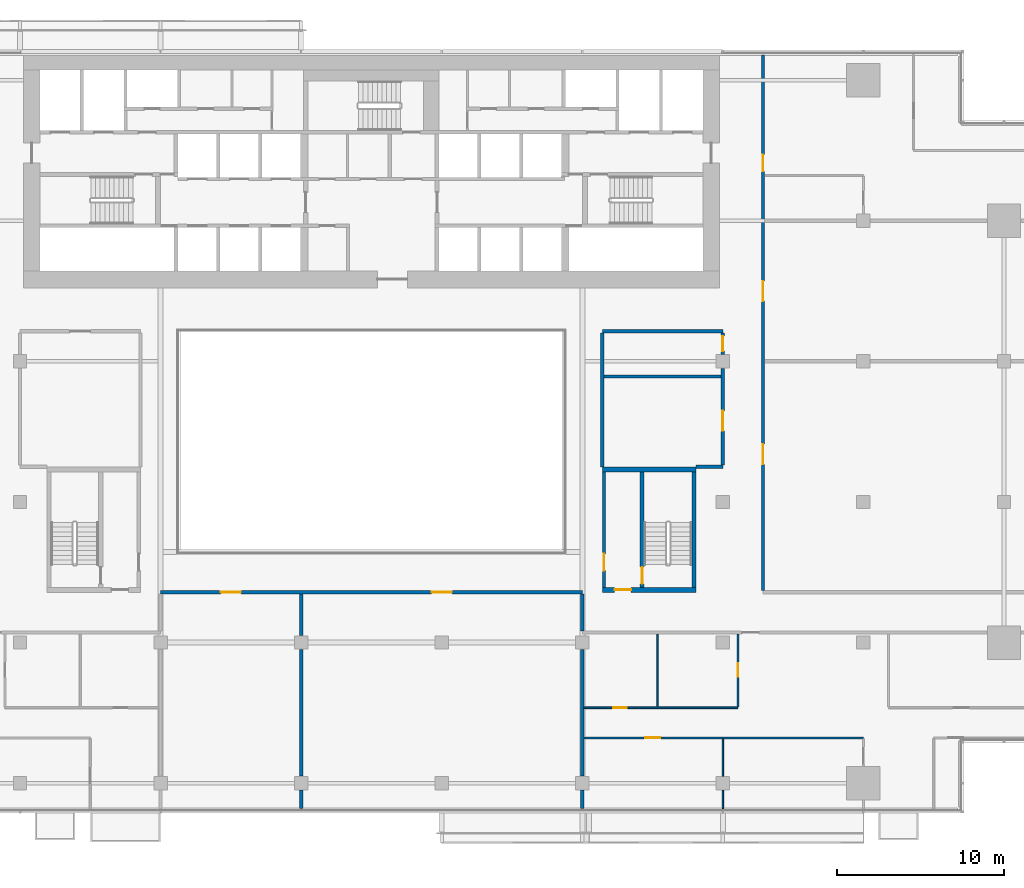
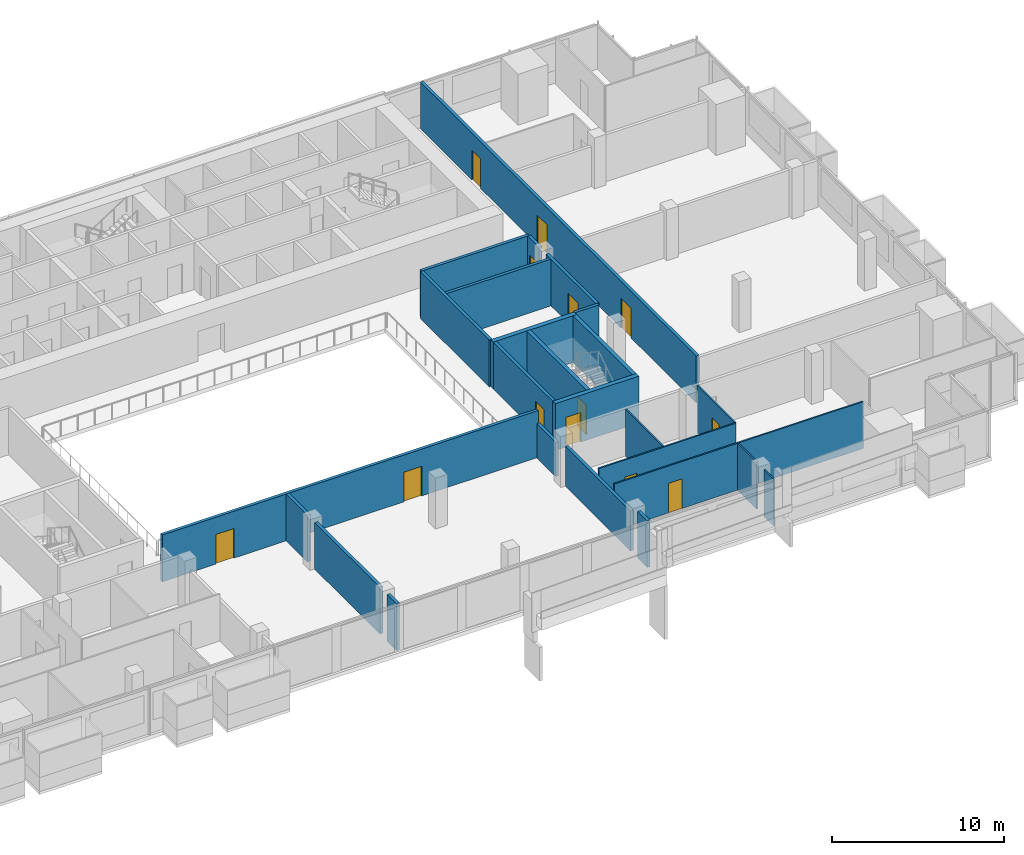
# One storey, part 18 of 26: 25 walls, 13 doors, 13 openings.
"""IFC4 building model written with IfcOpenShell, lengths in metres."""

from ifc_helpers import new_model, si_unit, direction, frame, frame_2d, origin, place, context, subcontext, project, spatial, rectangle, extrude, material, layer, layer_set, type_object, element, fill, save


model = new_model("IFC4")

# Units and contexts
model_context = context("Model", 3, precision=1e-05, world=origin(), true_north=direction((0.0, 1.0)))
body_context = subcontext(model_context, "Body", "Model", "MODEL_VIEW")
ifc_project = project(units=[si_unit("LENGTHUNIT", "METRE"), si_unit("AREAUNIT", "SQUARE_METRE"), si_unit("VOLUMEUNIT", "CUBIC_METRE"), si_unit("PLANEANGLEUNIT", "RADIAN"), si_unit("MASSUNIT", "GRAM", prefix="KILO")], contexts=[model_context])

# Site, building, storey
site_placement = place(None, origin())
site = spatial("IfcSite", under=ifc_project, at=site_placement, CompositionType="ELEMENT")
building_placement = place(site_placement, origin())
building = spatial("IfcBuilding", under=site, at=building_placement, Name="Saffron Gate Tower", CompositionType="ELEMENT")
storey_placement = place(building_placement, frame((0.0, 0.0, 102.449951171875)))
storey = spatial("IfcBuildingStorey", under=building, at=storey_placement, Name="L23", CompositionType="ELEMENT", Elevation=102.449951171875)

# Wall, opening, door
ifc_material_1 = material(Name="Gypsum board partition on steel studs", Category="steel")
ifc_layer_1 = layer(ifc_material_1, 0.199951171875)
ifc_layer_set_1 = layer_set([ifc_layer_1], Name="CW10 Core partition 200")
wall_type_1 = type_object("IfcWallType", Name="CW10 Core partition 200", PredefinedType="PARTITIONING", material=ifc_layer_set_1)
wall_1_placement = place(storey_placement, frame((101.5, 43.5, 0.0), z_axis=(0.0, 0.0, 1.0), x_axis=(0.0, 1.0, 0.0)))
wall_1 = element("IfcWall", 1, at=wall_1_placement, inside=storey, type_object=wall_type_1, Name="Wall CW10-L23-E-2", PredefinedType="PARTITIONING", context=body_context, shape_type="SweptSolid", body=[
    extrude(rectangle(XDim=6.89990234375, YDim=0.199951171875, at=frame_2d((3.449951171875, 0.0))), origin(), (0.0, 0.0, 1.0), 3.320068359375),
])
opening_1_placement = place(wall_1_placement, frame((1.0, 0.0, 0.0)))
opening_1 = element("IfcOpeningElement", 2, at=opening_1_placement, cuts=wall_1, Name="Opening CR-22", PredefinedType="OPENING", context=body_context, shape_type="SweptSolid", body=[
    extrude(rectangle(XDim=1.0, YDim=2.10009765625, at=frame_2d((0.5, 1.050048828125))), frame((0.0, 0.10986328125, 0.0), z_axis=(0.0, -1.0, 0.0), x_axis=(1.0, 0.0, 0.0)), (0.0, 0.0, 1.0), 0.219970703125),
])
ifc_material_2 = material(Name="Steel fire door set", Category="steel")
door_type_1 = type_object("IfcDoorType", Name="CD4 Lobby door 1000x2100 EI 120", OperationType="NOTDEFINED", PredefinedType="DOOR", material=ifc_material_2)
door_1_placement = place(opening_1_placement, origin())
door_1 = element("IfcDoor", 3, at=door_1_placement, inside=storey, type_object=door_type_1, Name="DOOR CR-22", OperationType="SINGLE_SWING_LEFT", OverallHeight=2.10009765625, OverallWidth=1.0, PredefinedType="DOOR", context=body_context, shape_type="SweptSolid", body=[
    extrude(rectangle(XDim=1.0, YDim=2.10009765625, at=frame_2d((0.5, 1.050048828125))), frame((0.0, 0.02490234375, 0.0), z_axis=(0.0, -1.0, 0.0), x_axis=(1.0, 0.0, 0.0)), (0.0, 0.0, 1.0), 0.050048828125),
])
fill(opening_1, door_1)

ifc_material_3 = material(Name="Concrete C70", Category="concrete")
ifc_layer_2 = layer(ifc_material_3, 0.25)
ifc_layer_set_2 = layer_set([ifc_layer_2], Name="CW2 RC core wall 250 C70")
wall_type_2 = type_object("IfcWallType", Name="CW2 RC core wall 250 C70", PredefinedType="SOLIDWALL", material=ifc_layer_set_2)
wall_2_placement = place(storey_placement, frame((103.77490234375, 43.5, 0.0), z_axis=(0.0, 0.0, 1.0), x_axis=(0.0, 1.0, 0.0)))
wall_2 = element("IfcWall", 4, at=wall_2_placement, inside=storey, type_object=wall_type_2, Name="Wall CW2-L23-E-3", PredefinedType="SOLIDWALL", context=body_context, shape_type="SweptSolid", body=[
    extrude(rectangle(XDim=6.89990234375, YDim=0.25, at=frame_2d((3.449951171875, 0.0))), origin(), (0.0, 0.0, 1.0), 3.320068359375),
])
opening_2_placement = place(wall_2_placement, frame((0.199951171875, 0.0, 0.0)))
opening_2 = element("IfcOpeningElement", 5, at=opening_2_placement, cuts=wall_2, Name="Opening CR-23", PredefinedType="OPENING", context=body_context, shape_type="SweptSolid", body=[
    extrude(rectangle(XDim=1.0, YDim=2.10009765625, at=frame_2d((0.5, 1.050048828125))), frame((0.0, 0.135009765625, 0.0), z_axis=(0.0, -1.0, 0.0), x_axis=(1.0, 0.0, 0.0)), (0.0, 0.0, 1.0), 0.27001953125),
])
door_type_2 = type_object("IfcDoorType", Name="CD5 Stair door 1000x2100 EI 120", OperationType="NOTDEFINED", PredefinedType="DOOR", material=ifc_material_2)
door_2_placement = place(opening_2_placement, origin())
door_2 = element("IfcDoor", 6, at=door_2_placement, inside=storey, type_object=door_type_2, Name="DOOR CR-23", OperationType="SINGLE_SWING_RIGHT", OverallHeight=2.10009765625, OverallWidth=1.0, PredefinedType="DOOR", context=body_context, shape_type="SweptSolid", body=[
    extrude(rectangle(XDim=1.0, YDim=2.10009765625, at=frame_2d((0.5, 1.050048828125))), frame((0.0, 0.02490234375, 0.0), z_axis=(0.0, -1.0, 0.0), x_axis=(1.0, 0.0, 0.0)), (0.0, 0.0, 1.0), 0.050048828125),
])
fill(opening_2, door_2)

# Wall
wall_3_placement = place(storey_placement, frame((106.875, 43.5, 0.0), z_axis=(0.0, 0.0, 1.0), x_axis=(0.0, 1.0, 0.0)))
element("IfcWall", 7, at=wall_3_placement, inside=storey, type_object=wall_type_2, Name="Wall CW2-L23-E-4", PredefinedType="SOLIDWALL", context=body_context, shape_type="SweptSolid", body=[
    extrude(rectangle(XDim=6.89990234375, YDim=0.25, at=frame_2d((3.449951171875, 0.0))), origin(), (0.0, 0.0, 1.0), 3.320068359375),
])

# Wall, opening, door
ifc_layer_3 = layer(ifc_material_3, 0.300048828125)
ifc_layer_set_3 = layer_set([ifc_layer_3], Name="CW5 RC core wall 300 C70")
wall_type_3 = type_object("IfcWallType", Name="CW5 RC core wall 300 C70", PredefinedType="SOLIDWALL", material=ifc_layer_set_3)
wall_4_placement = place(storey_placement, frame((101.39990234375, 43.35009765625, 0.0), z_axis=(0.0, 0.0, 1.0), x_axis=(1.0, 0.0, 0.0)))
wall_4 = element("IfcWall", 8, at=wall_4_placement, inside=storey, type_object=wall_type_3, Name="Wall CW5-L23-E-1", PredefinedType="SOLIDWALL", context=body_context, shape_type="SweptSolid", body=[
    extrude(rectangle(XDim=5.60009765625, YDim=0.300048828125, at=frame_2d((2.800048828125, 0.0))), origin(), (0.0, 0.0, 1.0), 3.320068359375),
])
opening_3_placement = place(wall_4_placement, frame((0.72509765625, 0.0, 0.0)))
opening_3 = element("IfcOpeningElement", 9, at=opening_3_placement, cuts=wall_4, Name="Opening CR-21", PredefinedType="OPENING", context=body_context, shape_type="SweptSolid", body=[
    extrude(rectangle(XDim=1.0, YDim=2.10009765625, at=frame_2d((0.5, 1.050048828125))), frame((0.0, 0.16015625, 0.0), z_axis=(0.0, -1.0, 0.0), x_axis=(1.0, 0.0, 0.0)), (0.0, 0.0, 1.0), 0.320068359375),
])
door_3_placement = place(opening_3_placement, origin())
door_3 = element("IfcDoor", 10, at=door_3_placement, inside=storey, type_object=door_type_1, Name="DOOR CR-21", OperationType="SINGLE_SWING_RIGHT", OverallHeight=2.10009765625, OverallWidth=1.0, PredefinedType="DOOR", context=body_context, shape_type="SweptSolid", body=[
    extrude(rectangle(XDim=1.0, YDim=2.10009765625, at=frame_2d((0.5, 1.050048828125))), frame((0.0, 0.02490234375, 0.0), z_axis=(0.0, -1.0, 0.0), x_axis=(1.0, 0.0, 0.0)), (0.0, 0.0, 1.0), 0.050048828125),
])
fill(opening_3, door_3)

# Wall
wall_5_placement = place(storey_placement, frame((101.39990234375, 50.550048828125, 0.0), z_axis=(0.0, 0.0, 1.0), x_axis=(1.0, 0.0, 0.0)))
element("IfcWall", 11, at=wall_5_placement, inside=storey, type_object=wall_type_3, Name="Wall CW5-L23-E-5", PredefinedType="SOLIDWALL", context=body_context, shape_type="SweptSolid", body=[
    extrude(rectangle(XDim=5.60009765625, YDim=0.300048828125, at=frame_2d((2.800048828125, 0.0))), origin(), (0.0, 0.0, 1.0), 3.320068359375),
])

# Wall, opening, door
ifc_material_4 = material(Name="Plasterboard on steel studs", Category="steel")
ifc_layer_4 = layer(ifc_material_4, 0.10009765625)
ifc_layer_set_4 = layer_set([ifc_layer_4], Name="PW1 Partition 100")
wall_type_4 = type_object("IfcWallType", Name="PW1 Partition 100", PredefinedType="PARTITIONING", material=ifc_layer_set_4)
wall_6_placement = place(storey_placement, frame((117.0, 34.5, 0.0), z_axis=(0.0, 0.0, 1.0), x_axis=(-1.0, 0.0, 0.0)))
wall_6 = element("IfcWall", 12, at=wall_6_placement, inside=storey, type_object=wall_type_4, Name="Partition B1-2", PredefinedType="PARTITIONING", context=body_context, shape_type="SweptSolid", body=[
    extrude(rectangle(XDim=16.699951171875, YDim=0.10009765625, at=frame_2d((8.35009765625, 0.0))), origin(), (0.0, 0.0, 1.0), 3.320068359375),
])
opening_4_placement = place(wall_6_placement, frame((12.14990234375, 0.0, 0.0)))
opening_4 = element("IfcOpeningElement", 13, at=opening_4_placement, cuts=wall_6, Name="Opening B1-9", PredefinedType="OPENING", context=body_context, shape_type="SweptSolid", body=[
    extrude(rectangle(XDim=0.89990234375, YDim=2.10009765625, at=frame_2d((0.449951171875, 1.050048828125))), frame((0.0, 0.06005859375, 0.0), z_axis=(0.0, -1.0, 0.0), x_axis=(1.0, 0.0, 0.0)), (0.0, 0.0, 1.0), 0.1201171875),
])
ifc_material_5 = material(Name="Timber door set", Category="wood")
door_type_3 = type_object("IfcDoorType", Name="RD1 Room door 900x2100", OperationType="NOTDEFINED", PredefinedType="DOOR", material=ifc_material_5)
door_4_placement = place(opening_4_placement, origin())
door_4 = element("IfcDoor", 14, at=door_4_placement, inside=storey, type_object=door_type_3, Name="Door B1-9", OperationType="SINGLE_SWING_RIGHT", OverallHeight=2.10009765625, OverallWidth=0.89990234375, PredefinedType="DOOR", context=body_context, shape_type="SweptSolid", body=[
    extrude(rectangle(XDim=0.89990234375, YDim=2.10009765625, at=frame_2d((0.449951171875, 1.050048828125))), frame((0.0, 0.02490234375, 0.0), z_axis=(0.0, -1.0, 0.0), x_axis=(1.0, 0.0, 0.0)), (0.0, 0.0, 1.0), 0.050048828125),
])
fill(opening_4, door_4)

wall_7_placement = place(storey_placement, frame((100.300048828125, 36.300048828125, 0.0), z_axis=(0.0, 0.0, 1.0), x_axis=(1.0, 0.0, 0.0)))
wall_7 = element("IfcWall", 15, at=wall_7_placement, inside=storey, type_object=wall_type_4, Name="Partition B1-6", PredefinedType="PARTITIONING", context=body_context, shape_type="SweptSolid", body=[
    extrude(rectangle(XDim=9.199951171875, YDim=0.10009765625, at=frame_2d((4.60009765625, 0.0))), origin(), (0.0, 0.0, 1.0), 3.320068359375),
])
opening_5_placement = place(wall_7_placement, frame((1.75, 0.0, 0.0)))
opening_5 = element("IfcOpeningElement", 16, at=opening_5_placement, cuts=wall_7, Name="Opening B1-18", PredefinedType="OPENING", context=body_context, shape_type="SweptSolid", body=[
    extrude(rectangle(XDim=0.800048828125, YDim=2.10009765625, at=frame_2d((0.39990234375, 1.050048828125))), frame((0.0, 0.06005859375, 0.0), z_axis=(0.0, -1.0, 0.0), x_axis=(1.0, 0.0, 0.0)), (0.0, 0.0, 1.0), 0.1201171875),
])
door_type_4 = type_object("IfcDoorType", Name="RD2 Bathroom door 800x2100", OperationType="NOTDEFINED", PredefinedType="DOOR", material=ifc_material_5)
door_5_placement = place(opening_5_placement, origin())
door_5 = element("IfcDoor", 17, at=door_5_placement, inside=storey, type_object=door_type_4, Name="Door B1-18", OperationType="SINGLE_SWING_LEFT", OverallHeight=2.10009765625, OverallWidth=0.800048828125, PredefinedType="DOOR", context=body_context, shape_type="SweptSolid", body=[
    extrude(rectangle(XDim=0.800048828125, YDim=2.10009765625, at=frame_2d((0.39990234375, 1.050048828125))), frame((0.0, 0.02490234375, 0.0), z_axis=(0.0, -1.0, 0.0), x_axis=(1.0, 0.0, 0.0)), (0.0, 0.0, 1.0), 0.050048828125),
])
fill(opening_5, door_5)

# Walls
wall_8_placement = place(storey_placement, frame((104.699951171875, 40.699951171875, 0.0), z_axis=(0.0, 0.0, 1.0), x_axis=(0.0, -1.0, 0.0)))
element("IfcWall", 18, at=wall_8_placement, inside=storey, type_object=wall_type_4, Name="Partition B1-60", PredefinedType="PARTITIONING", context=body_context, shape_type="SweptSolid", body=[
    extrude(rectangle(XDim=4.349853515625, YDim=0.10009765625, at=frame_2d((2.1748046875, 0.0))), origin(), (0.0, 0.0, 1.0), 3.320068359375),
])
wall_9_placement = place(storey_placement, frame((108.60009765625, 31.3798828125, 0.0), z_axis=(0.0, 0.0, 1.0), x_axis=(0.0, -1.0, 0.0)))
element("IfcWall", 19, at=wall_9_placement, inside=storey, type_object=wall_type_4, Name="Partition B1-63", PredefinedType="PARTITIONING", context=body_context, shape_type="SweptSolid", body=[
    extrude(rectangle(XDim=1.099853515625, YDim=0.10009765625, at=frame_2d((0.5498046875, 0.0))), origin(), (0.0, 0.0, 1.0), 3.320068359375),
])
wall_10_placement = place(storey_placement, frame((108.60009765625, 34.449951171875, 0.0), z_axis=(0.0, 0.0, 1.0), x_axis=(0.0, -1.0, 0.0)))
element("IfcWall", 20, at=wall_10_placement, inside=storey, type_object=wall_type_4, Name="Partition B1-64", PredefinedType="PARTITIONING", context=body_context, shape_type="SweptSolid", body=[
    extrude(rectangle(XDim=2.22998046875, YDim=0.10009765625, at=frame_2d((1.114990234375, 0.0))), origin(), (0.0, 0.0, 1.0), 3.320068359375),
])

# Wall, opening, door
wall_11_placement = place(storey_placement, frame((109.5, 36.35009765625, 0.0), z_axis=(0.0, 0.0, 1.0), x_axis=(0.0, 1.0, 0.0)))
wall_11 = element("IfcWall", 21, at=wall_11_placement, inside=storey, type_object=wall_type_4, Name="Partition B1-65", PredefinedType="PARTITIONING", context=body_context, shape_type="SweptSolid", body=[
    extrude(rectangle(XDim=4.349853515625, YDim=0.10009765625, at=frame_2d((2.1748046875, 0.0))), origin(), (0.0, 0.0, 1.0), 3.320068359375),
])
opening_6_placement = place(wall_11_placement, frame((1.800048828125, 0.0, 0.0)))
opening_6 = element("IfcOpeningElement", 22, at=opening_6_placement, cuts=wall_11, Name="Opening B1-19", PredefinedType="OPENING", context=body_context, shape_type="SweptSolid", body=[
    extrude(rectangle(XDim=0.800048828125, YDim=2.10009765625, at=frame_2d((0.39990234375, 1.050048828125))), frame((0.0, 0.06005859375, 0.0), z_axis=(0.0, -1.0, 0.0), x_axis=(1.0, 0.0, 0.0)), (0.0, 0.0, 1.0), 0.1201171875),
])
door_6_placement = place(opening_6_placement, origin())
door_6 = element("IfcDoor", 23, at=door_6_placement, inside=storey, type_object=door_type_4, Name="Door B1-19", OperationType="SINGLE_SWING_RIGHT", OverallHeight=2.10009765625, OverallWidth=0.800048828125, PredefinedType="DOOR", context=body_context, shape_type="SweptSolid", body=[
    extrude(rectangle(XDim=0.800048828125, YDim=2.10009765625, at=frame_2d((0.39990234375, 1.050048828125))), frame((0.0, 0.02490234375, 0.0), z_axis=(0.0, -1.0, 0.0), x_axis=(1.0, 0.0, 0.0)), (0.0, 0.0, 1.0), 0.050048828125),
])
fill(opening_6, door_6)

# Wall, openings, doors
ifc_material_6 = material(Name="Clay brick masonry, rendered", Category="masonry")
ifc_layer_5 = layer(ifc_material_6, 0.199951171875)
ifc_layer_set_5 = layer_set([ifc_layer_5], Name="PW3 Corridor wall 200")
wall_type_5 = type_object("IfcWallType", Name="PW3 Corridor wall 200", PredefinedType="PARTITIONING", material=ifc_layer_set_5)
wall_12_placement = place(storey_placement, frame((100.199951171875, 43.199951171875, 0.0), z_axis=(0.0, 0.0, 1.0), x_axis=(-1.0, 0.0, 0.0)))
wall_12 = element("IfcWall", 24, at=wall_12_placement, inside=storey, type_object=wall_type_5, Name="Wall B1-13", PredefinedType="PARTITIONING", context=body_context, shape_type="SweptSolid", body=[
    extrude(rectangle(XDim=25.199951171875, YDim=0.199951171875, at=frame_2d((12.60009765625, 0.0))), origin(), (0.0, 0.0, 1.0), 3.320068359375),
])
opening_7_placement = place(wall_12_placement, frame((7.800048828125, 0.0, 0.0)))
opening_7 = element("IfcOpeningElement", 25, at=opening_7_placement, cuts=wall_12, Name="Opening B1-26", PredefinedType="OPENING", context=body_context, shape_type="SweptSolid", body=[
    extrude(rectangle(XDim=1.199951171875, YDim=2.10009765625, at=frame_2d((0.60009765625, 1.050048828125))), frame((0.0, 0.10986328125, 0.0), z_axis=(0.0, -1.0, 0.0), x_axis=(1.0, 0.0, 0.0)), (0.0, 0.0, 1.0), 0.219970703125),
])
opening_8_placement = place(wall_12_placement, frame((20.39990234375, 0.0, 0.0)))
opening_8 = element("IfcOpeningElement", 26, at=opening_8_placement, cuts=wall_12, Name="Opening B1-25", PredefinedType="OPENING", context=body_context, shape_type="SweptSolid", body=[
    extrude(rectangle(XDim=1.199951171875, YDim=2.10009765625, at=frame_2d((0.60009765625, 1.050048828125))), frame((0.0, 0.10986328125, 0.0), z_axis=(0.0, -1.0, 0.0), x_axis=(1.0, 0.0, 0.0)), (0.0, 0.0, 1.0), 0.219970703125),
])
door_type_5 = type_object("IfcDoorType", Name="HD1 Hall door 1200x2100", OperationType="NOTDEFINED", PredefinedType="DOOR", material=ifc_material_5)
door_7_placement = place(opening_7_placement, origin())
door_7 = element("IfcDoor", 27, at=door_7_placement, inside=storey, type_object=door_type_5, Name="Door B1-26", OperationType="SINGLE_SWING_LEFT", OverallHeight=2.10009765625, OverallWidth=1.199951171875, PredefinedType="DOOR", context=body_context, shape_type="SweptSolid", body=[
    extrude(rectangle(XDim=1.199951171875, YDim=2.10009765625, at=frame_2d((0.60009765625, 1.050048828125))), frame((0.0, 0.02490234375, 0.0), z_axis=(0.0, -1.0, 0.0), x_axis=(1.0, 0.0, 0.0)), (0.0, 0.0, 1.0), 0.050048828125),
])
fill(opening_7, door_7)
door_8_placement = place(opening_8_placement, origin())
door_8 = element("IfcDoor", 28, at=door_8_placement, inside=storey, type_object=door_type_5, Name="Door B1-25", OperationType="SINGLE_SWING_LEFT", OverallHeight=2.10009765625, OverallWidth=1.199951171875, PredefinedType="DOOR", context=body_context, shape_type="SweptSolid", body=[
    extrude(rectangle(XDim=1.199951171875, YDim=2.10009765625, at=frame_2d((0.60009765625, 1.050048828125))), frame((0.0, 0.02490234375, 0.0), z_axis=(0.0, -1.0, 0.0), x_axis=(1.0, 0.0, 0.0)), (0.0, 0.0, 1.0), 0.050048828125),
])
fill(opening_8, door_8)

# Walls
wall_13_placement = place(storey_placement, frame((107.0, 50.699951171875, 0.0), z_axis=(0.0, 0.0, 1.0), x_axis=(1.0, 0.0, 0.0)))
element("IfcWall", 29, at=wall_13_placement, inside=storey, type_object=wall_type_5, Name="Wall B1-16", PredefinedType="PARTITIONING", context=body_context, shape_type="SweptSolid", body=[
    extrude(rectangle(XDim=1.60009765625, YDim=0.199951171875, at=frame_2d((0.800048828125, 0.0))), origin(), (0.0, 0.0, 1.0), 3.320068359375),
])
wall_14_placement = place(storey_placement, frame((101.39990234375, 58.800048828125, 0.0), z_axis=(0.0, 0.0, 1.0), x_axis=(1.0, 0.0, 0.0)))
element("IfcWall", 30, at=wall_14_placement, inside=storey, type_object=wall_type_5, Name="Wall B1-25", PredefinedType="PARTITIONING", context=body_context, shape_type="SweptSolid", body=[
    extrude(rectangle(XDim=7.2001953125, YDim=0.199951171875, at=frame_2d((3.60009765625, 0.0))), origin(), (0.0, 0.0, 1.0), 3.320068359375),
])
wall_15_placement = place(storey_placement, frame((100.199951171875, 43.10009765625, 0.0), z_axis=(0.0, 0.0, 1.0), x_axis=(0.0, -1.0, 0.0)))
element("IfcWall", 31, at=wall_15_placement, inside=storey, type_object=wall_type_5, Name="Wall B1-56", PredefinedType="PARTITIONING", context=body_context, shape_type="SweptSolid", body=[
    extrude(rectangle(XDim=2.2001953125, YDim=0.199951171875, at=frame_2d((1.10009765625, 0.0))), origin(), (0.0, 0.0, 1.0), 2.429931640625),
])
wall_16_placement = place(storey_placement, frame((101.39990234375, 58.699951171875, 0.0), z_axis=(0.0, 0.0, 1.0), x_axis=(0.0, -1.0, 0.0)))
element("IfcWall", 32, at=wall_16_placement, inside=storey, type_object=wall_type_5, Name="Wall B1-59", PredefinedType="PARTITIONING", context=body_context, shape_type="SweptSolid", body=[
    extrude(rectangle(XDim=8.0, YDim=0.199951171875, at=frame_2d((4.0, 0.0))), origin(), (0.0, 0.0, 1.0), 3.320068359375),
])

# Wall, opening, door
wall_17_placement = place(storey_placement, frame((108.60009765625, 50.800048828125, 0.0), z_axis=(0.0, 0.0, 1.0), x_axis=(0.0, 1.0, 0.0)))
wall_17 = element("IfcWall", 33, at=wall_17_placement, inside=storey, type_object=wall_type_5, Name="Wall B1-61", PredefinedType="PARTITIONING", context=body_context, shape_type="SweptSolid", body=[
    extrude(rectangle(XDim=5.780029296875, YDim=0.199951171875, at=frame_2d((2.89013671875, 0.0))), origin(), (0.0, 0.0, 1.0), 3.320068359375),
])
opening_9_placement = place(wall_17_placement, frame((2.050048828125, 0.0, 0.0)))
opening_9 = element("IfcOpeningElement", 34, at=opening_9_placement, cuts=wall_17, Name="Opening B1-24", PredefinedType="OPENING", context=body_context, shape_type="SweptSolid", body=[
    extrude(rectangle(XDim=1.199951171875, YDim=2.10009765625, at=frame_2d((0.60009765625, 1.050048828125))), frame((0.0, 0.10986328125, 0.0), z_axis=(0.0, -1.0, 0.0), x_axis=(1.0, 0.0, 0.0)), (0.0, 0.0, 1.0), 0.219970703125),
])
door_9_placement = place(opening_9_placement, origin())
door_9 = element("IfcDoor", 35, at=door_9_placement, inside=storey, type_object=door_type_5, Name="Door B1-24", OperationType="SINGLE_SWING_RIGHT", OverallHeight=2.10009765625, OverallWidth=1.199951171875, PredefinedType="DOOR", context=body_context, shape_type="SweptSolid", body=[
    extrude(rectangle(XDim=1.199951171875, YDim=2.10009765625, at=frame_2d((0.60009765625, 1.050048828125))), frame((0.0, 0.02490234375, 0.0), z_axis=(0.0, -1.0, 0.0), x_axis=(1.0, 0.0, 0.0)), (0.0, 0.0, 1.0), 0.050048828125),
])
fill(opening_9, door_9)

wall_18_placement = place(storey_placement, frame((108.60009765625, 57.419921875, 0.0), z_axis=(0.0, 0.0, 1.0), x_axis=(0.0, 1.0, 0.0)))
wall_18 = element("IfcWall", 36, at=wall_18_placement, inside=storey, type_object=wall_type_5, Name="Wall B1-62", PredefinedType="PARTITIONING", context=body_context, shape_type="SweptSolid", body=[
    extrude(rectangle(XDim=1.280029296875, YDim=0.199951171875, at=frame_2d((0.64013671875, 0.0))), origin(), (0.0, 0.0, 1.0), 3.320068359375),
])
opening_10_placement = place(wall_18_placement, frame((0.18994140625, 0.0, 0.0)))
opening_10 = element("IfcOpeningElement", 37, at=opening_10_placement, cuts=wall_18, Name="Opening B1-15", PredefinedType="OPENING", context=body_context, shape_type="SweptSolid", body=[
    extrude(rectangle(XDim=0.89990234375, YDim=2.10009765625, at=frame_2d((0.449951171875, 1.050048828125))), frame((0.0, 0.10986328125, 0.0), z_axis=(0.0, -1.0, 0.0), x_axis=(1.0, 0.0, 0.0)), (0.0, 0.0, 1.0), 0.219970703125),
])
door_10_placement = place(opening_10_placement, origin())
door_10 = element("IfcDoor", 38, at=door_10_placement, inside=storey, type_object=door_type_3, Name="Door B1-15", OperationType="SINGLE_SWING_RIGHT", OverallHeight=2.10009765625, OverallWidth=0.89990234375, PredefinedType="DOOR", context=body_context, shape_type="SweptSolid", body=[
    extrude(rectangle(XDim=0.89990234375, YDim=2.10009765625, at=frame_2d((0.449951171875, 1.050048828125))), frame((0.0, 0.02490234375, 0.0), z_axis=(0.0, -1.0, 0.0), x_axis=(1.0, 0.0, 0.0)), (0.0, 0.0, 1.0), 0.050048828125),
])
fill(opening_10, door_10)

# Wall, openings, doors
wall_19_placement = place(storey_placement, frame((111.0, 75.320068359375, 0.0), z_axis=(0.0, 0.0, 1.0), x_axis=(0.0, -1.0, 0.0)))
wall_19 = element("IfcWall", 39, at=wall_19_placement, inside=storey, type_object=wall_type_5, Name="Wall B1-66", PredefinedType="PARTITIONING", context=body_context, shape_type="SweptSolid", body=[
    extrude(rectangle(XDim=32.02001953125, YDim=0.199951171875, at=frame_2d((16.010009765625, 0.0))), origin(), (0.0, 0.0, 1.0), 3.320068359375),
])
opening_11_placement = place(wall_19_placement, frame((5.969970703125, 0.0, 0.0)))
opening_11 = element("IfcOpeningElement", 40, at=opening_11_placement, cuts=wall_19, Name="Opening B1-4", PredefinedType="OPENING", context=body_context, shape_type="SweptSolid", body=[
    extrude(rectangle(XDim=1.0, YDim=2.10009765625, at=frame_2d((0.5, 1.050048828125))), frame((0.0, 0.10986328125, 0.0), z_axis=(0.0, -1.0, 0.0), x_axis=(1.0, 0.0, 0.0)), (0.0, 0.0, 1.0), 0.219970703125),
])
opening_12_placement = place(wall_19_placement, frame((13.52001953125, 0.0, 0.0)))
opening_12 = element("IfcOpeningElement", 41, at=opening_12_placement, cuts=wall_19, Name="Opening B1-23", PredefinedType="OPENING", context=body_context, shape_type="SweptSolid", body=[
    extrude(rectangle(XDim=1.199951171875, YDim=2.10009765625, at=frame_2d((0.60009765625, 1.050048828125))), frame((0.0, 0.10986328125, 0.0), z_axis=(0.0, -1.0, 0.0), x_axis=(1.0, 0.0, 0.0)), (0.0, 0.0, 1.0), 0.219970703125),
])
opening_13_placement = place(wall_19_placement, frame((23.27001953125, 0.0, 0.0)))
opening_13 = element("IfcOpeningElement", 42, at=opening_13_placement, cuts=wall_19, Name="Opening B1-22", PredefinedType="OPENING", context=body_context, shape_type="SweptSolid", body=[
    extrude(rectangle(XDim=1.199951171875, YDim=2.10009765625, at=frame_2d((0.60009765625, 1.050048828125))), frame((0.0, 0.10986328125, 0.0), z_axis=(0.0, -1.0, 0.0), x_axis=(1.0, 0.0, 0.0)), (0.0, 0.0, 1.0), 0.219970703125),
])
ifc_material_7 = material(Name="Timber fire door set", Category="wood")
door_type_6 = type_object("IfcDoorType", Name="FD1 Flat entry door 1000x2100", OperationType="NOTDEFINED", PredefinedType="DOOR", material=ifc_material_7)
door_11_placement = place(opening_11_placement, origin())
door_11 = element("IfcDoor", 43, at=door_11_placement, inside=storey, type_object=door_type_6, Name="Door B1-4", OperationType="SINGLE_SWING_RIGHT", OverallHeight=2.10009765625, OverallWidth=1.0, PredefinedType="DOOR", context=body_context, shape_type="SweptSolid", body=[
    extrude(rectangle(XDim=1.0, YDim=2.10009765625, at=frame_2d((0.5, 1.050048828125))), frame((0.0, 0.02490234375, 0.0), z_axis=(0.0, -1.0, 0.0), x_axis=(1.0, 0.0, 0.0)), (0.0, 0.0, 1.0), 0.050048828125),
])
fill(opening_11, door_11)
door_12_placement = place(opening_12_placement, origin())
door_12 = element("IfcDoor", 44, at=door_12_placement, inside=storey, type_object=door_type_5, Name="Door B1-23", OperationType="SINGLE_SWING_LEFT", OverallHeight=2.10009765625, OverallWidth=1.199951171875, PredefinedType="DOOR", context=body_context, shape_type="SweptSolid", body=[
    extrude(rectangle(XDim=1.199951171875, YDim=2.10009765625, at=frame_2d((0.60009765625, 1.050048828125))), frame((0.0, 0.02490234375, 0.0), z_axis=(0.0, -1.0, 0.0), x_axis=(1.0, 0.0, 0.0)), (0.0, 0.0, 1.0), 0.050048828125),
])
fill(opening_12, door_12)
door_13_placement = place(opening_13_placement, origin())
door_13 = element("IfcDoor", 45, at=door_13_placement, inside=storey, type_object=door_type_5, Name="Door B1-22", OperationType="SINGLE_SWING_RIGHT", OverallHeight=2.10009765625, OverallWidth=1.199951171875, PredefinedType="DOOR", context=body_context, shape_type="SweptSolid", body=[
    extrude(rectangle(XDim=1.199951171875, YDim=2.10009765625, at=frame_2d((0.60009765625, 1.050048828125))), frame((0.0, 0.02490234375, 0.0), z_axis=(0.0, -1.0, 0.0), x_axis=(1.0, 0.0, 0.0)), (0.0, 0.0, 1.0), 0.050048828125),
])
fill(opening_13, door_13)

# Walls
ifc_layer_6 = layer(ifc_material_6, 0.199951171875)
ifc_layer_set_6 = layer_set([ifc_layer_6], Name="PW5 Room wall 200")
wall_type_6 = type_object("IfcWallType", Name="PW5 Room wall 200", PredefinedType="PARTITIONING", material=ifc_layer_set_6)
wall_20_placement = place(storey_placement, frame((101.5, 56.10009765625, 0.0), z_axis=(0.0, 0.0, 1.0), x_axis=(1.0, 0.0, 0.0)))
element("IfcWall", 46, at=wall_20_placement, inside=storey, type_object=wall_type_6, Name="Wall B1-17", PredefinedType="PARTITIONING", context=body_context, shape_type="SweptSolid", body=[
    extrude(rectangle(XDim=7.0, YDim=0.199951171875, at=frame_2d((3.5, 0.0))), origin(), (0.0, 0.0, 1.0), 3.320068359375),
])
wall_21_placement = place(storey_placement, frame((83.39990234375, 31.3798828125, 0.0), z_axis=(0.0, 0.0, 1.0), x_axis=(0.0, -1.0, 0.0)))
element("IfcWall", 47, at=wall_21_placement, inside=storey, type_object=wall_type_6, Name="Wall B1-53", PredefinedType="PARTITIONING", context=body_context, shape_type="SweptSolid", body=[
    extrude(rectangle(XDim=1.099853515625, YDim=0.199951171875, at=frame_2d((0.5498046875, 0.0))), origin(), (0.0, 0.0, 1.0), 3.320068359375),
])
wall_22_placement = place(storey_placement, frame((83.39990234375, 39.780029296875, 0.0), z_axis=(0.0, 0.0, 1.0), x_axis=(0.0, -1.0, 0.0)))
element("IfcWall", 48, at=wall_22_placement, inside=storey, type_object=wall_type_6, Name="Wall B1-54", PredefinedType="PARTITIONING", context=body_context, shape_type="SweptSolid", body=[
    extrude(rectangle(XDim=7.56005859375, YDim=0.199951171875, at=frame_2d((3.780029296875, 0.0))), origin(), (0.0, 0.0, 1.0), 3.320068359375),
])
wall_23_placement = place(storey_placement, frame((83.39990234375, 43.10009765625, 0.0), z_axis=(0.0, 0.0, 1.0), x_axis=(0.0, -1.0, 0.0)))
element("IfcWall", 49, at=wall_23_placement, inside=storey, type_object=wall_type_6, Name="Wall B1-55", PredefinedType="PARTITIONING", context=body_context, shape_type="SweptSolid", body=[
    extrude(rectangle(XDim=2.47998046875, YDim=0.199951171875, at=frame_2d((1.239990234375, 0.0))), origin(), (0.0, 0.0, 1.0), 3.320068359375),
])
wall_24_placement = place(storey_placement, frame((100.199951171875, 31.3798828125, 0.0), z_axis=(0.0, 0.0, 1.0), x_axis=(0.0, -1.0, 0.0)))
element("IfcWall", 50, at=wall_24_placement, inside=storey, type_object=wall_type_6, Name="Wall B1-57", PredefinedType="PARTITIONING", context=body_context, shape_type="SweptSolid", body=[
    extrude(rectangle(XDim=1.099853515625, YDim=0.199951171875, at=frame_2d((0.5498046875, 0.0))), origin(), (0.0, 0.0, 1.0), 3.320068359375),
])
wall_25_placement = place(storey_placement, frame((100.199951171875, 39.780029296875, 0.0), z_axis=(0.0, 0.0, 1.0), x_axis=(0.0, -1.0, 0.0)))
element("IfcWall", 51, at=wall_25_placement, inside=storey, type_object=wall_type_6, Name="Wall B1-58", PredefinedType="PARTITIONING", context=body_context, shape_type="SweptSolid", body=[
    extrude(rectangle(XDim=7.56005859375, YDim=0.199951171875, at=frame_2d((3.780029296875, 0.0))), origin(), (0.0, 0.0, 1.0), 2.830078125),
])

save(model, "model.ifc")
